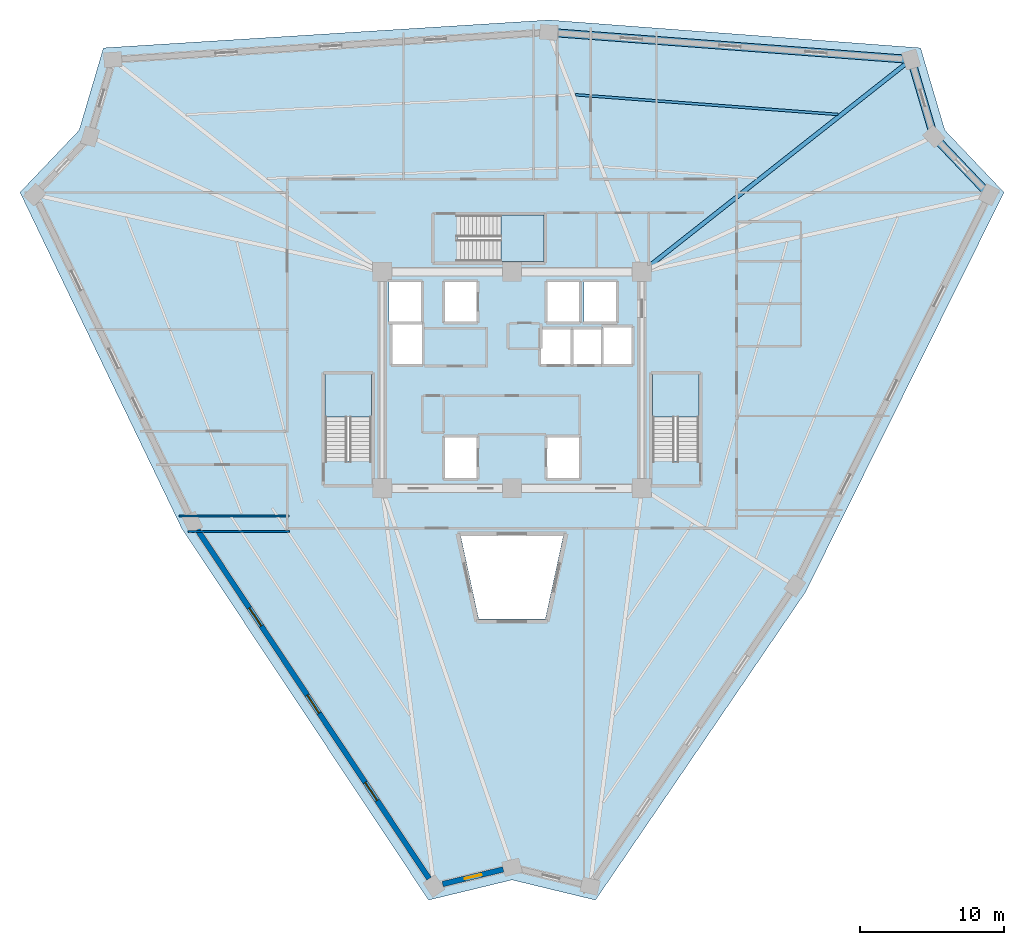
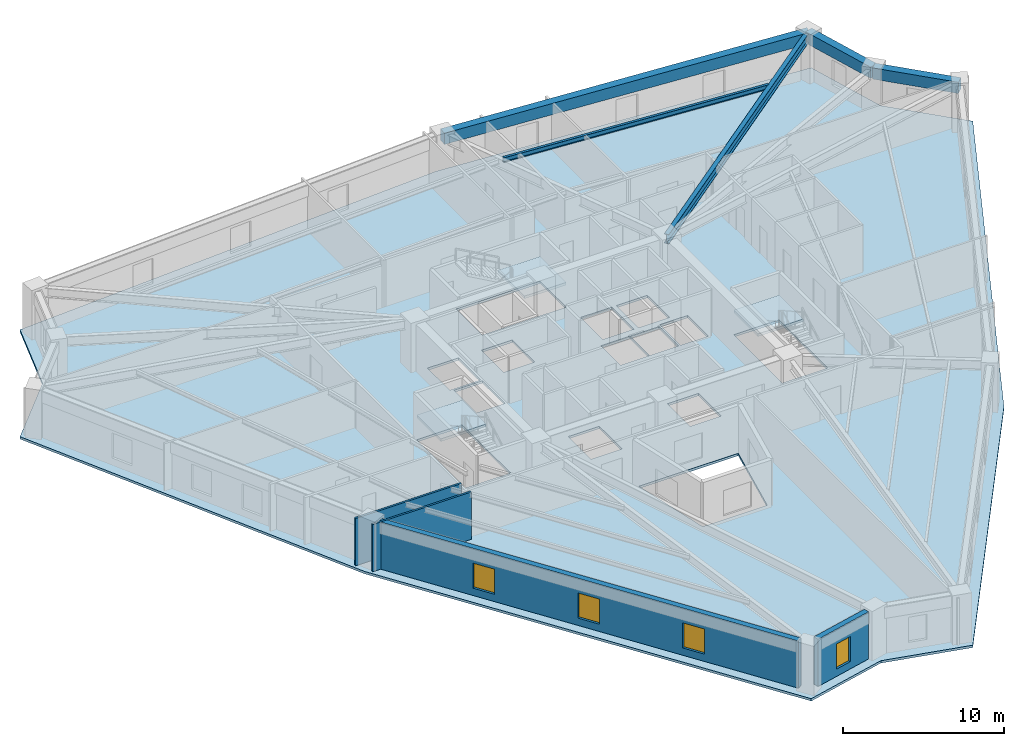
# One storey, part 2 of 9: 5 beams, 4 slabs, 4 walls, 4 windows, 4 openings, 3 elements without a shape of their own.
"""IFC4 building model written with IfcOpenShell, lengths in metres."""

from ifc_helpers import new_model, si_unit, direction, frame, frame_2d, origin, origin_2d, place, context, subcontext, project, spatial, polyline, rectangle, i_section, outline, extrude, source, transform, mapped, material, layer, layer_set, material_profile, profile_set, type_object, element, fill, aggregate, save


model = new_model("IFC4")

# Units and contexts
model_context = context("Model", 3, precision=1e-05, world=origin(), true_north=direction((0.0, 1.0)))
body_context = subcontext(model_context, "Body", "Model", "MODEL_VIEW")
ifc_project = project(units=[si_unit("LENGTHUNIT", "METRE"), si_unit("AREAUNIT", "SQUARE_METRE"), si_unit("VOLUMEUNIT", "CUBIC_METRE"), si_unit("PLANEANGLEUNIT", "RADIAN"), si_unit("MASSUNIT", "GRAM", prefix="KILO")], contexts=[model_context])

# Site, building, storey
site_placement = place(None, origin())
site = spatial("IfcSite", under=ifc_project, at=site_placement, CompositionType="ELEMENT")
building_placement = place(site_placement, origin())
building = spatial("IfcBuilding", under=site, at=building_placement, Name="Liaohun Quay Tower", CompositionType="ELEMENT")
storey_placement = place(building_placement, frame((0.0, 0.0, 224.25)))
storey = spatial("IfcBuildingStorey", under=building, at=storey_placement, Name="L58", CompositionType="ELEMENT", Elevation=224.25)

# Beams
ifc_material_1 = material(Name="Steel Q355D", Category="steel")
ifc_material_profile_1 = material_profile(ifc_material_1, i_section(OverallWidth=0.300048828125, OverallDepth=0.699951171875, WebThickness=0.012939453125, FlangeThickness=0.02392578125, at=origin_2d()), Name="HN700x300x13x24")
ifc_profile_set_1 = profile_set([ifc_material_profile_1], Name="Steel Q355D")
beam_type_1 = type_object("IfcBeamType", Name="BM-RAD-U1", PredefinedType="BEAM", material=ifc_profile_set_1)
shared_shape_1 = source(origin(), body_context, "Body", "SweptSolid", [
    extrude(i_section(OverallWidth=0.300048828125, OverallDepth=0.699951171875, WebThickness=0.012939453125, FlangeThickness=0.02392578125, at=origin_2d()), origin(), (0.0, 0.0, 1.0), 23.750244140625),
])
beam_1_placement = place(storey_placement, frame((69.0, 61.5, 3.219970703125), z_axis=(0.78520630337, 0.619234253856, 0.0), x_axis=(-0.619234253856, 0.78520630337, 0.0)))
element("IfcBeam", 1, at=beam_1_placement, inside=storey, type_object=beam_type_1, Name="L58 Radial Primary Girder CC4-PC07", PredefinedType="BEAM", context=body_context, shape_type="MappedRepresentation", body=[
    mapped(shared_shape_1, transform((0.0, 0.0, 0.0), x_axis=(1.0, 0.0, 0.0), y_axis=(0.0, 1.0, 0.0), z_axis=(0.0, 0.0, 1.0), scale=1.0)),
])
ifc_material_profile_2 = material_profile(ifc_material_1, i_section(OverallWidth=0.175048828125, OverallDepth=0.35009765625, WebThickness=0.007080078125, FlangeThickness=0.010986328125, at=origin_2d()), Name="HN350x175x7x11")
ifc_profile_set_2 = profile_set([ifc_material_profile_2], Name="Steel Q355D")
beam_type_2 = type_object("IfcBeamType", Name="BM-SEC-J3", PredefinedType="JOIST", material=ifc_profile_set_2)
shared_shape_2 = source(origin(), body_context, "Body", "SweptSolid", [
    extrude(i_section(OverallWidth=0.175048828125, OverallDepth=0.35009765625, WebThickness=0.007080078125, FlangeThickness=0.010986328125, at=origin_2d()), origin(), (0.0, 0.0, 1.0), 18.2431640625),
])
beam_2_placement = place(storey_placement, frame((64.386962890625, 73.764892578125, 3.39501953125), z_axis=(0.997196938964, -0.074821553858, 0.0), x_axis=(0.074821553858, 0.997196938964, 0.0)))
element("IfcBeam", 2, at=beam_2_placement, inside=storey, type_object=beam_type_2, Name="L58 Wing Secondary Floor Joist SJ-09", PredefinedType="JOIST", context=body_context, shape_type="MappedRepresentation", body=[
    mapped(shared_shape_2, transform((0.0, 0.0, 0.0), x_axis=(1.0, 0.0, 0.0), y_axis=(0.0, 1.0, 0.0), z_axis=(0.0, 0.0, 1.0), scale=1.0)),
])
ifc_material_2 = material(Name="Precast concrete C50", Category="concrete")
ifc_material_profile_3 = material_profile(ifc_material_2, rectangle(XDim=0.550048828125, YDim=0.85009765625, at=origin_2d()), Name="RC550x850")
ifc_profile_set_3 = profile_set([ifc_material_profile_3], Name="Precast concrete C50")
beam_type_3 = type_object("IfcBeamType", Name="BM-SPD-Z3", PredefinedType="SPANDREL", material=ifc_profile_set_3)
shared_shape_3 = source(origin(), body_context, "Body", "SweptSolid", [
    extrude(rectangle(XDim=0.550048828125, YDim=0.85009765625, at=origin_2d()), origin(), (0.0, 0.0, 1.0), 25.177490234375),
])
beam_3_placement = place(storey_placement, frame((62.5419921875, 78.091064453125, 3.14501953125), z_axis=(0.997196307848, -0.074829964679, 0.0), x_axis=(0.074829964679, 0.997196307848, 0.0)))
element("IfcBeam", 3, at=beam_3_placement, inside=storey, type_object=beam_type_3, Name="L58 Precast Spandrel Beam PC06-PC07", PredefinedType="SPANDREL", context=body_context, shape_type="MappedRepresentation", body=[
    mapped(shared_shape_3, transform((0.0, 0.0, 0.0), x_axis=(1.0, 0.0, 0.0), y_axis=(0.0, 1.0, 0.0), z_axis=(0.0, 0.0, 1.0), scale=1.0)),
])
shared_shape_4 = source(origin(), body_context, "Body", "SweptSolid", [
    extrude(rectangle(XDim=0.550048828125, YDim=0.85009765625, at=origin_2d()), origin(), (0.0, 0.0, 1.0), 5.56298828125),
])
beam_4_placement = place(storey_placement, frame((87.64892578125, 76.20703125, 3.14501953125), z_axis=(0.282762654748, -0.959189908767, 0.0), x_axis=(0.959189908767, 0.282762654748, 0.0)))
element("IfcBeam", 4, at=beam_4_placement, inside=storey, type_object=beam_type_3, Name="L58 Precast Spandrel Beam PC07-PC08", PredefinedType="SPANDREL", context=body_context, shape_type="MappedRepresentation", body=[
    mapped(shared_shape_4, transform((0.0, 0.0, 0.0), x_axis=(1.0, 0.0, 0.0), y_axis=(0.0, 1.0, 0.0), z_axis=(0.0, 0.0, 1.0), scale=1.0)),
])
shared_shape_5 = source(origin(), body_context, "Body", "SweptSolid", [
    extrude(rectangle(XDim=0.550048828125, YDim=0.85009765625, at=origin_2d()), origin(), (0.0, 0.0, 1.0), 5.555419921875),
])
beam_5_placement = place(storey_placement, frame((89.221923828125, 70.87109375, 3.14501953125), z_axis=(0.68924246321, -0.724530763259, 0.0), x_axis=(0.724530763259, 0.68924246321, 0.0)))
element("IfcBeam", 5, at=beam_5_placement, inside=storey, type_object=beam_type_3, Name="L58 Precast Spandrel Beam PC08-PC09", PredefinedType="SPANDREL", context=body_context, shape_type="MappedRepresentation", body=[
    mapped(shared_shape_5, transform((0.0, 0.0, 0.0), x_axis=(1.0, 0.0, 0.0), y_axis=(0.0, 1.0, 0.0), z_axis=(0.0, 0.0, 1.0), scale=1.0)),
])

# Stair, slab
ifc_material_3 = material(Name="Concrete C45", Category="concrete")
stair_type = type_object("IfcStairType", Name="STR-CORE-OFF", PredefinedType="HALF_TURN_STAIR", material=ifc_material_3)
stair_1_placement = place(storey_placement, origin())
stair_1 = element("IfcStair", 6, at=stair_1_placement, inside=storey, type_object=stair_type, Name="L58 Smokeproof Core Exit Stair ST-1", PredefinedType="HALF_TURN_STAIR")
ifc_layer_1 = layer(ifc_material_3, 0.199951171875, Name="Concrete C45", Category="concrete")
ifc_layer_set_1 = layer_set([ifc_layer_1], Name="Concrete C45")
slab_type_1 = type_object("IfcSlabType", Name="SLB-LND-200", PredefinedType="LANDING", material=ifc_layer_set_1)
slab_1_placement = place(storey_placement, frame((0.0, 0.0, 1.675048828125)))
slab_1 = element("IfcSlab", 7, at=slab_1_placement, type_object=slab_type_1, Name="ST-1 landing 1", PredefinedType="LANDING", context=body_context, shape_type="SweptSolid", body=[
    extrude(outline(polyline([(50.280029296875, 51.429931640625), (50.280029296875, 54.419921875), (47.0400390625, 54.419921875), (47.0400390625, 51.429931640625), (50.280029296875, 51.429931640625)])), origin(), (0.0, 0.0, 1.0), 0.199951171875),
])
aggregate(stair_1, [slab_1])

stair_2_placement = place(storey_placement, origin())
stair_2 = element("IfcStair", 8, at=stair_2_placement, inside=storey, type_object=stair_type, Name="L58 Smokeproof Core Exit Stair ST-2", PredefinedType="HALF_TURN_STAIR")
slab_2_placement = place(storey_placement, frame((0.0, 0.0, 1.675048828125)))
slab_2 = element("IfcSlab", 9, at=slab_2_placement, type_object=slab_type_1, Name="ST-2 landing 1", PredefinedType="LANDING", context=body_context, shape_type="SweptSolid", body=[
    extrude(outline(polyline([(72.9599609375, 51.429931640625), (72.9599609375, 54.419921875), (69.719970703125, 54.419921875), (69.719970703125, 51.429931640625), (72.9599609375, 51.429931640625)])), origin(), (0.0, 0.0, 1.0), 0.199951171875),
])
aggregate(stair_2, [slab_2])

stair_3_placement = place(storey_placement, origin())
stair_3 = element("IfcStair", 10, at=stair_3_placement, inside=storey, type_object=stair_type, Name="L58 Smokeproof Core Exit Stair ST-3", PredefinedType="HALF_TURN_STAIR")
slab_3_placement = place(storey_placement, frame((0.0, 0.0, 1.675048828125)))
slab_3 = element("IfcSlab", 11, at=slab_3_placement, type_object=slab_type_1, Name="ST-3 landing 1", PredefinedType="LANDING", context=body_context, shape_type="SweptSolid", body=[
    extrude(outline(polyline([(59.22998046875, 62.199951171875), (62.219970703125, 62.199951171875), (62.219970703125, 65.43994140625), (59.22998046875, 65.43994140625), (59.22998046875, 62.199951171875)])), origin(), (0.0, 0.0, 1.0), 0.199951171875),
])
aggregate(stair_3, [slab_3])

# Slab
ifc_layer_2 = layer(ifc_material_3, 0.179931640625, Name="Concrete C45", Category="concrete")
ifc_layer_set_2 = layer_set([ifc_layer_2], Name="Concrete C45")
slab_type_2 = type_object("IfcSlabType", Name="SLB-OFF-180", PredefinedType="FLOOR", material=ifc_layer_set_2)
slab_4_placement = place(storey_placement, frame((0.0, 0.0, -0.179931640625)))
element("IfcSlab", 12, at=slab_4_placement, inside=storey, type_object=slab_type_2, Name="L58 Structural Floor Slab", PredefinedType="FLOOR", context=body_context, shape_type="SweptSolid", body=[
    extrude(outline(polyline([(54.220947265625, 17.987060546875), (60.0, 19.383056640625), (65.779052734375, 17.987060546875), (80.327880859375, 39.322998046875), (94.076904296875, 67.0009765625), (89.97900390625, 71.30810546875), (88.298095703125, 77.010986328125), (62.547119140625, 78.943115234375), (31.701904296875, 77.010986328125), (30.02099609375, 71.30810546875), (25.923095703125, 67.0009765625), (37.125, 43.73388671875), (54.220947265625, 17.987060546875)]), holes=[polyline([(63.552978515625, 43.199951171875), (56.447021484375, 43.199951171875), (57.69091796875, 37.447021484375), (62.30908203125, 37.447021484375), (63.552978515625, 43.199951171875)]), polyline([(57.56005859375, 47.2099609375), (57.56005859375, 50.030029296875), (55.340087890625, 50.030029296875), (55.340087890625, 47.2099609375), (57.56005859375, 47.2099609375)]), polyline([(50.280029296875, 54.419921875), (47.0400390625, 54.419921875), (47.0400390625, 48.409912109375), (50.280029296875, 48.409912109375), (50.280029296875, 54.419921875)]), polyline([(53.760009765625, 55.090087890625), (53.760009765625, 57.909912109375), (51.7099609375, 57.909912109375), (51.7099609375, 55.090087890625), (53.760009765625, 55.090087890625)]), polyline([(53.7099609375, 58.0400390625), (53.7099609375, 60.7900390625), (51.489990234375, 60.7900390625), (51.489990234375, 58.0400390625), (53.7099609375, 58.0400390625)]), polyline([(57.56005859375, 58.0400390625), (57.56005859375, 60.7900390625), (55.340087890625, 60.7900390625), (55.340087890625, 58.0400390625), (57.56005859375, 58.0400390625)]), polyline([(62.219970703125, 62.199951171875), (62.219970703125, 65.43994140625), (56.2099609375, 65.43994140625), (56.2099609375, 62.199951171875), (62.219970703125, 62.199951171875)]), polyline([(64.659912109375, 50.030029296875), (62.43994140625, 50.030029296875), (62.43994140625, 47.2099609375), (64.659912109375, 47.2099609375), (64.659912109375, 50.030029296875)]), polyline([(72.9599609375, 54.419921875), (69.719970703125, 54.419921875), (69.719970703125, 48.409912109375), (72.9599609375, 48.409912109375), (72.9599609375, 54.419921875)]), polyline([(64.06005859375, 55.090087890625), (64.06005859375, 57.510009765625), (61.989990234375, 57.510009765625), (61.989990234375, 55.090087890625), (64.06005859375, 55.090087890625)]), polyline([(66.159912109375, 55.090087890625), (66.159912109375, 57.510009765625), (64.090087890625, 57.510009765625), (64.090087890625, 55.090087890625), (66.159912109375, 55.090087890625)]), polyline([(68.2900390625, 55.090087890625), (68.2900390625, 57.659912109375), (66.2900390625, 57.659912109375), (66.2900390625, 55.090087890625), (68.2900390625, 55.090087890625)]), polyline([(64.659912109375, 58.0400390625), (64.659912109375, 60.7900390625), (62.43994140625, 60.7900390625), (62.43994140625, 58.0400390625), (64.659912109375, 58.0400390625)]), polyline([(67.2099609375, 58.0400390625), (67.2099609375, 60.7900390625), (64.989990234375, 60.7900390625), (64.989990234375, 58.0400390625), (67.2099609375, 58.0400390625)])]), origin(), (0.0, 0.0, 1.0), 0.179931640625),
])

# Wall, openings, windows
ifc_material_4 = material(Name="Precast concrete C50 insulated sandwich", Category="concrete")
ifc_layer_3 = layer(ifc_material_4, 0.3798828125, Name="Precast concrete C50 insulated sandwich", Category="concrete")
ifc_layer_set_3 = layer_set([ifc_layer_3], Name="Precast concrete C50 insulated sandwich")
wall_type_1 = type_object("IfcWallType", Name="WAL-EXT-Z34", PredefinedType="SOLIDWALL", material=ifc_layer_set_3)
wall_1_placement = place(storey_placement, frame((38.205078125, 43.64306640625, 0.0), z_axis=(0.0, 0.0, 1.0), x_axis=(0.553179293126, -0.83306222436, 0.0)))
wall_1 = element("IfcWall", 13, at=wall_1_placement, inside=storey, type_object=wall_type_1, Name="L58 Brutalist Precast Pier Wall 11", PredefinedType="SOLIDWALL", context=body_context, shape_type="SweptSolid", body=[
    extrude(rectangle(XDim=29.02294921875, YDim=0.3798828125, at=frame_2d((14.511474609375, 0.0))), origin(), (0.0, 0.0, 1.0), 3.570068359375),
])
shared_shape_6 = source(origin(), body_context, "Body", "SweptSolid", [
    extrude(rectangle(XDim=1.5, YDim=1.89990234375, at=frame_2d((0.75, 0.949951171875))), frame((0.0, 0.199951171875, 0.0), z_axis=(0.0, -1.0, 0.0), x_axis=(1.0, 0.0, 0.0)), (0.0, 0.0, 1.0), 0.39990234375),
])
opening_1_placement = place(wall_1_placement, frame((6.506103515625, 0.0, 0.550048828125)))
opening_1 = element("IfcOpeningElement", 14, at=opening_1_placement, cuts=wall_1, Name="Opening W03", PredefinedType="OPENING", context=body_context, shape_type="MappedRepresentation", body=[
    mapped(shared_shape_6, transform((0.0, 0.0, 0.0), x_axis=(1.0, 0.0, 0.0), y_axis=(0.0, 1.0, 0.0), z_axis=(0.0, 0.0, 1.0), scale=1.0)),
])
opening_2_placement = place(wall_1_placement, frame((13.761962890625, 0.0, 0.550048828125)))
opening_2 = element("IfcOpeningElement", 15, at=opening_2_placement, cuts=wall_1, Name="Opening W03", PredefinedType="OPENING", context=body_context, shape_type="MappedRepresentation", body=[
    mapped(shared_shape_6, transform((0.0, 0.0, 0.0), x_axis=(1.0, 0.0, 0.0), y_axis=(0.0, 1.0, 0.0), z_axis=(0.0, 0.0, 1.0), scale=1.0)),
])
opening_3_placement = place(wall_1_placement, frame((21.01708984375, 0.0, 0.550048828125)))
opening_3 = element("IfcOpeningElement", 16, at=opening_3_placement, cuts=wall_1, Name="Opening W03", PredefinedType="OPENING", context=body_context, shape_type="MappedRepresentation", body=[
    mapped(shared_shape_6, transform((0.0, 0.0, 0.0), x_axis=(1.0, 0.0, 0.0), y_axis=(0.0, 1.0, 0.0), z_axis=(0.0, 0.0, 1.0), scale=1.0)),
])
ifc_material_5 = material(Name="Triple Low-E argon glazing in thermally broken aluminium", Category="aluminium")
window_type_1 = type_object("IfcWindowType", Name="WIN-PUN-Z3", PartitioningType="DOUBLE_PANEL_VERTICAL", PredefinedType="WINDOW", material=ifc_material_5)
shared_shape_7 = source(origin(), body_context, "Body", "SweptSolid", [
    extrude(rectangle(XDim=1.5, YDim=1.89990234375, at=frame_2d((0.75, 0.949951171875))), frame((0.0, 0.030029296875, 0.0), z_axis=(0.0, -1.0, 0.0), x_axis=(1.0, 0.0, 0.0)), (0.0, 0.0, 1.0), 0.06005859375),
])
window_1_placement = place(opening_1_placement, origin())
window_1 = element("IfcWindow", 17, at=window_1_placement, inside=storey, type_object=window_type_1, Name="L58 Recessed Cold-Climate Punched Window 11-1", OverallHeight=1.89990234375, OverallWidth=1.5, PartitioningType="DOUBLE_PANEL_VERTICAL", PredefinedType="WINDOW", context=body_context, shape_type="MappedRepresentation", body=[
    mapped(shared_shape_7, transform((0.0, 0.0, 0.0), x_axis=(1.0, 0.0, 0.0), y_axis=(0.0, 1.0, 0.0), z_axis=(0.0, 0.0, 1.0), scale=1.0)),
])
fill(opening_1, window_1)
window_2_placement = place(opening_2_placement, origin())
window_2 = element("IfcWindow", 18, at=window_2_placement, inside=storey, type_object=window_type_1, Name="L58 Recessed Cold-Climate Punched Window 11-2", OverallHeight=1.89990234375, OverallWidth=1.5, PartitioningType="DOUBLE_PANEL_VERTICAL", PredefinedType="WINDOW", context=body_context, shape_type="MappedRepresentation", body=[
    mapped(shared_shape_7, transform((0.0, 0.0, 0.0), x_axis=(1.0, 0.0, 0.0), y_axis=(0.0, 1.0, 0.0), z_axis=(0.0, 0.0, 1.0), scale=1.0)),
])
fill(opening_2, window_2)
window_3_placement = place(opening_3_placement, origin())
window_3 = element("IfcWindow", 19, at=window_3_placement, inside=storey, type_object=window_type_1, Name="L58 Recessed Cold-Climate Punched Window 11-3", OverallHeight=1.89990234375, OverallWidth=1.5, PartitioningType="DOUBLE_PANEL_VERTICAL", PredefinedType="WINDOW", context=body_context, shape_type="MappedRepresentation", body=[
    mapped(shared_shape_7, transform((0.0, 0.0, 0.0), x_axis=(1.0, 0.0, 0.0), y_axis=(0.0, 1.0, 0.0), z_axis=(0.0, 0.0, 1.0), scale=1.0)),
])
fill(opening_3, window_3)

# Wall, opening, window
wall_2_placement = place(storey_placement, frame((55.197998046875, 19.096923828125, 0.0), z_axis=(0.0, 0.0, 1.0), x_axis=(0.972012019022, 0.234931127943, 0.0)))
wall_2 = element("IfcWall", 20, at=wall_2_placement, inside=storey, type_object=wall_type_1, Name="L58 Brutalist Precast Pier Wall 12", PredefinedType="SOLIDWALL", context=body_context, shape_type="SweptSolid", body=[
    extrude(rectangle(XDim=4.3251953125, YDim=0.3798828125, at=frame_2d((2.16259765625, 0.0))), origin(), (0.0, 0.0, 1.0), 3.570068359375),
])
shared_shape_8 = source(origin(), body_context, "Body", "SweptSolid", [
    extrude(rectangle(XDim=1.199951171875, YDim=1.89990234375, at=frame_2d((0.60009765625, 0.949951171875))), frame((0.0, 0.199951171875, 0.0), z_axis=(0.0, -1.0, 0.0), x_axis=(1.0, 0.0, 0.0)), (0.0, 0.0, 1.0), 0.39990234375),
])
opening_4_placement = place(wall_2_placement, frame((1.56298828125, 0.0, 0.550048828125)))
opening_4 = element("IfcOpeningElement", 21, at=opening_4_placement, cuts=wall_2, Name="Opening W05", PredefinedType="OPENING", context=body_context, shape_type="MappedRepresentation", body=[
    mapped(shared_shape_8, transform((0.0, 0.0, 0.0), x_axis=(1.0, 0.0, 0.0), y_axis=(0.0, 1.0, 0.0), z_axis=(0.0, 0.0, 1.0), scale=1.0)),
])
ifc_material_6 = material(Name="Triple Low-E corner notch glazing", Category="glass")
window_type_2 = type_object("IfcWindowType", Name="WIN-NOTCH", PartitioningType="SINGLE_PANEL", PredefinedType="WINDOW", material=ifc_material_6)
shared_shape_9 = source(origin(), body_context, "Body", "SweptSolid", [
    extrude(rectangle(XDim=1.199951171875, YDim=1.89990234375, at=frame_2d((0.60009765625, 0.949951171875))), frame((0.0, 0.030029296875, 0.0), z_axis=(0.0, -1.0, 0.0), x_axis=(1.0, 0.0, 0.0)), (0.0, 0.0, 1.0), 0.06005859375),
])
window_4_placement = place(opening_4_placement, origin())
window_4 = element("IfcWindow", 22, at=window_4_placement, inside=storey, type_object=window_type_2, Name="L58 Corner Notch Window W05-12", OverallHeight=1.89990234375, OverallWidth=1.199951171875, PartitioningType="SINGLE_PANEL", PredefinedType="WINDOW", context=body_context, shape_type="MappedRepresentation", body=[
    mapped(shared_shape_9, transform((0.0, 0.0, 0.0), x_axis=(1.0, 0.0, 0.0), y_axis=(0.0, 1.0, 0.0), z_axis=(0.0, 0.0, 1.0), scale=1.0)),
])
fill(opening_4, window_4)

# Walls
ifc_material_7 = material(Name="Gypsum board on twin steel studs", Category="steel")
ifc_layer_4 = layer(ifc_material_7, 0.139892578125, Name="Gypsum board on twin steel studs", Category="steel")
ifc_layer_set_4 = layer_set([ifc_layer_4], Name="Gypsum board on twin steel studs")
wall_type_2 = type_object("IfcWallType", Name="WAL-PRT-OFF", PredefinedType="PARTITIONING", material=ifc_layer_set_4)
wall_3_placement = place(storey_placement, frame((44.60009765625, 43.5, 0.0), z_axis=(0.0, 0.0, 1.0), x_axis=(-1.0, 0.0, 0.0)))
element("IfcWall", 23, at=wall_3_placement, inside=storey, type_object=wall_type_2, Name="L58 Interior Partition Wall 046", PredefinedType="PARTITIONING", context=body_context, shape_type="SweptSolid", body=[
    extrude(rectangle(XDim=7.05615234375, YDim=0.139892578125, at=frame_2d((3.528076171875, 0.0))), origin(), (0.0, 0.0, 1.0), 3.570068359375),
])
wall_4_placement = place(storey_placement, frame((44.5400390625, 44.60009765625, 0.0), z_axis=(0.0, 0.0, 1.0), x_axis=(-1.0, 0.0, 0.0)))
element("IfcWall", 24, at=wall_4_placement, inside=storey, type_object=wall_type_2, Name="L58 Interior Partition Wall 047", PredefinedType="PARTITIONING", context=body_context, shape_type="SweptSolid", body=[
    extrude(rectangle(XDim=7.588134765625, YDim=0.139892578125, at=frame_2d((3.7939453125, 0.0))), origin(), (0.0, 0.0, 1.0), 3.570068359375),
])

save(model, "model.ifc")
